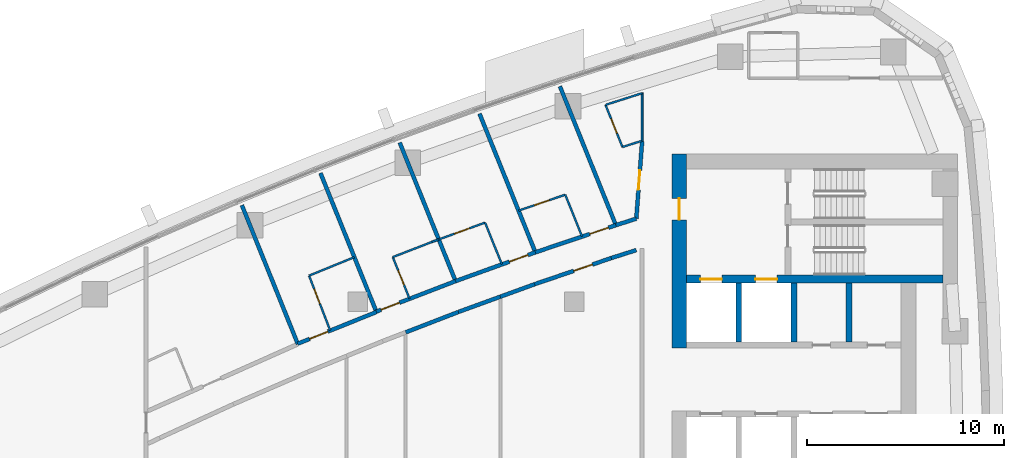
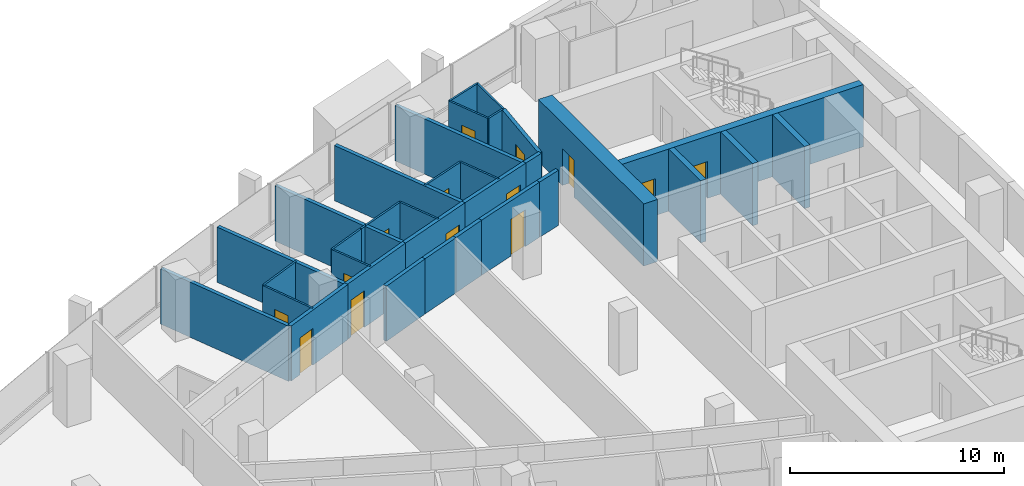
# One storey, part 12 of 17: 34 walls, 14 doors, 14 openings.
"""IFC4 building model written with IfcOpenShell, lengths in metres."""

from ifc_helpers import new_model, si_unit, direction, frame, frame_2d, origin, place, context, subcontext, project, spatial, rectangle, extrude, material, layer, layer_set, type_object, element, fill, save


model = new_model("IFC4")

# Units and contexts
model_context = context("Model", 3, precision=1e-05, world=origin(), true_north=direction((0.0, 1.0)))
body_context = subcontext(model_context, "Body", "Model", "MODEL_VIEW")
ifc_project = project(units=[si_unit("LENGTHUNIT", "METRE"), si_unit("AREAUNIT", "SQUARE_METRE"), si_unit("VOLUMEUNIT", "CUBIC_METRE"), si_unit("PLANEANGLEUNIT", "RADIAN"), si_unit("MASSUNIT", "GRAM", prefix="KILO")], contexts=[model_context])

# Site, building, storey
site_placement = place(None, origin())
site = spatial("IfcSite", under=ifc_project, at=site_placement, CompositionType="ELEMENT")
building_placement = place(site_placement, origin())
building = spatial("IfcBuilding", under=site, at=building_placement, Name="Ostrand Prow Hotel Tower", CompositionType="ELEMENT")
storey_placement = place(building_placement, frame((0.0, 0.0, 207.449951171875)))
storey = spatial("IfcBuildingStorey", under=building, at=storey_placement, Name="L52", CompositionType="ELEMENT", Elevation=207.449951171875)

# Walls
ifc_material_1 = material(Name="Concrete C60/75", Category="concrete")
ifc_layer_1 = layer(ifc_material_1, 0.300048828125)
ifc_layer_set_1 = layer_set([ifc_layer_1], Name="Concrete C60/75")
wall_type_1 = type_object("IfcWallType", Name="Core wall 300 C60/75", PredefinedType="SHEAR", material=ifc_layer_set_1)
for number, where, z_axis, x_axis, name in (
    (1, (53.35009765625, 6.949951171875, 0.0), (0.0, 0.0, 1.0), (0.0, 1.0, 0.0), "Core wall PW-R1-NA"),
    (2, (56.14990234375, 6.949951171875, 0.0), (0.0, 0.0, 1.0), (0.0, 1.0, 0.0), "Core wall PW-R2-NA"),
    (3, (58.949951171875, 6.949951171875, 0.0), (0.0, 0.0, 1.0), (0.0, 1.0, 0.0), "Core wall PW-R3-NA"),
):
    element("IfcWall", number, at=place(storey_placement, frame(where, z_axis=z_axis, x_axis=x_axis)), inside=storey, type_object=wall_type_1, Name=name, PredefinedType="SHEAR", context=body_context, shape_type="SweptSolid", body=[
        extrude(rectangle(XDim=3.0, YDim=0.300048828125, at=frame_2d((1.5, 0.0))), origin(), (0.0, 0.0, 1.0), 3.550048828125),
    ])

# Wall, openings, doors
ifc_material_2 = material(Name="Concrete C60/75", Category="concrete")
ifc_layer_2 = layer(ifc_material_2, 0.39990234375)
ifc_layer_set_2 = layer_set([ifc_layer_2], Name="Concrete C60/75")
wall_type_2 = type_object("IfcWallType", Name="Core wall 400 C60/75", PredefinedType="SHEAR", material=ifc_layer_set_2)
wall_1_placement = place(storey_placement, frame((50.699951171875, 10.14990234375, 0.0), z_axis=(0.0, 0.0, 1.0), x_axis=(1.0, 0.0, 0.0)))
wall_1 = element("IfcWall", 4, at=wall_1_placement, inside=storey, type_object=wall_type_2, Name="Core wall PW-BN", PredefinedType="SHEAR", context=body_context, shape_type="SweptSolid", body=[
    extrude(rectangle(XDim=13.02001953125, YDim=0.39990234375, at=frame_2d((6.510009765625, 0.0))), origin(), (0.0, 0.0, 1.0), 3.550048828125),
])
opening_1_placement = place(wall_1_placement, frame((0.699951171875, 0.0, 0.0)))
opening_1 = element("IfcOpeningElement", 5, at=opening_1_placement, cuts=wall_1, Name="Opening LD", PredefinedType="OPENING", context=body_context, shape_type="SweptSolid", body=[
    extrude(rectangle(XDim=1.10009765625, YDim=2.10009765625, at=frame_2d((0.550048828125, 1.050048828125))), frame((0.0, 0.2099609375, 0.0), z_axis=(0.0, -1.0, 0.0), x_axis=(1.0, 0.0, 0.0)), (0.0, 0.0, 1.0), 0.419921875),
])
opening_2_placement = place(wall_1_placement, frame((3.5, 0.0, 0.0)))
opening_2 = element("IfcOpeningElement", 6, at=opening_2_placement, cuts=wall_1, Name="Opening LD", PredefinedType="OPENING", context=body_context, shape_type="SweptSolid", body=[
    extrude(rectangle(XDim=1.10009765625, YDim=2.10009765625, at=frame_2d((0.550048828125, 1.050048828125))), frame((0.0, 0.2099609375, 0.0), z_axis=(0.0, -1.0, 0.0), x_axis=(1.0, 0.0, 0.0)), (0.0, 0.0, 1.0), 0.419921875),
])
ifc_material_3 = material(Name="Stainless steel door", Category="steel")
door_type_1 = type_object("IfcDoorType", Name="Lift landing door 1100", OperationType="DOUBLE_DOOR_SLIDING", PredefinedType="DOOR", material=ifc_material_3)
door_1_placement = place(opening_1_placement, origin())
door_1 = element("IfcDoor", 7, at=door_1_placement, inside=storey, type_object=door_type_1, Name="LIFT LANDING DOOR", OperationType="DOUBLE_DOOR_SLIDING", OverallHeight=2.10009765625, OverallWidth=1.10009765625, PredefinedType="DOOR", context=body_context, shape_type="SweptSolid", body=[
    extrude(rectangle(XDim=1.10009765625, YDim=2.10009765625, at=frame_2d((0.550048828125, 1.050048828125))), frame((0.0, 0.02490234375, 0.0), z_axis=(0.0, -1.0, 0.0), x_axis=(1.0, 0.0, 0.0)), (0.0, 0.0, 1.0), 0.050048828125),
])
fill(opening_1, door_1)
door_2_placement = place(opening_2_placement, origin())
door_2 = element("IfcDoor", 8, at=door_2_placement, inside=storey, type_object=door_type_1, Name="LIFT LANDING DOOR", OperationType="DOUBLE_DOOR_SLIDING", OverallHeight=2.10009765625, OverallWidth=1.10009765625, PredefinedType="DOOR", context=body_context, shape_type="SweptSolid", body=[
    extrude(rectangle(XDim=1.10009765625, YDim=2.10009765625, at=frame_2d((0.550048828125, 1.050048828125))), frame((0.0, 0.02490234375, 0.0), z_axis=(0.0, -1.0, 0.0), x_axis=(1.0, 0.0, 0.0)), (0.0, 0.0, 1.0), 0.050048828125),
])
fill(opening_2, door_2)

# Wall, opening, door
ifc_material_4 = material(Name="Concrete C60/75", Category="concrete")
ifc_layer_3 = layer(ifc_material_4, 0.75)
ifc_layer_set_3 = layer_set([ifc_layer_3], Name="Concrete C60/75")
wall_type_3 = type_object("IfcWallType", Name="Core wall 750 C60/75", PredefinedType="SHEAR", material=ifc_layer_set_3)
wall_2_placement = place(storey_placement, frame((50.324951171875, 6.64990234375, 0.0), z_axis=(0.0, 0.0, 1.0), x_axis=(0.0, 1.0, 0.0)))
wall_2 = element("IfcWall", 9, at=wall_2_placement, inside=storey, type_object=wall_type_3, Name="Core wall CW-W-N", PredefinedType="SHEAR", context=body_context, shape_type="SweptSolid", body=[
    extrude(rectangle(XDim=9.85009765625, YDim=0.75, at=frame_2d((4.925048828125, 0.0))), origin(), (0.0, 0.0, 1.0), 3.550048828125),
])
opening_3_placement = place(wall_2_placement, frame((6.5, 0.0, 0.0)))
opening_3 = element("IfcOpeningElement", 10, at=opening_3_placement, cuts=wall_2, Name="Opening FD1", PredefinedType="OPENING", context=body_context, shape_type="SweptSolid", body=[
    extrude(rectangle(XDim=1.10009765625, YDim=2.10009765625, at=frame_2d((0.550048828125, 1.050048828125))), frame((0.0, 0.385009765625, 0.0), z_axis=(0.0, -1.0, 0.0), x_axis=(1.0, 0.0, 0.0)), (0.0, 0.0, 1.0), 0.77001953125),
])
ifc_material_5 = material(Name="Steel fire door", Category="steel")
door_type_2 = type_object("IfcDoorType", Name="Fire door 1100 EI120", OperationType="SINGLE_SWING_RIGHT", PredefinedType="DOOR", material=ifc_material_5)
door_3_placement = place(opening_3_placement, origin())
door_3 = element("IfcDoor", 11, at=door_3_placement, inside=storey, type_object=door_type_2, Name="FIRE DOOR", OperationType="SINGLE_SWING_RIGHT", OverallHeight=2.10009765625, OverallWidth=1.10009765625, PredefinedType="DOOR", context=body_context, shape_type="SweptSolid", body=[
    extrude(rectangle(XDim=1.10009765625, YDim=2.10009765625, at=frame_2d((0.550048828125, 1.050048828125))), frame((0.0, 0.02490234375, 0.0), z_axis=(0.0, -1.0, 0.0), x_axis=(1.0, 0.0, 0.0)), (0.0, 0.0, 1.0), 0.050048828125),
])
fill(opening_3, door_3)

ifc_material_6 = material(Name="Plasterboard partition")
ifc_layer_4 = layer(ifc_material_6, 0.10009765625)
ifc_layer_set_4 = layer_set([ifc_layer_4], Name="Plasterboard partition")
wall_type_4 = type_object("IfcWallType", Name="Partition 100 bathroom wall", PredefinedType="PARTITIONING", material=ifc_layer_set_4)
wall_3_placement = place(storey_placement, frame((32.60546875, 7.542236328125, 0.0), z_axis=(0.0, 0.0, 1.0), x_axis=(-0.359637744424, 0.933092006603, 0.0)))
wall_3 = element("IfcWall", 12, at=wall_3_placement, inside=storey, type_object=wall_type_4, Name="BATHROOM WALL", PredefinedType="PARTITIONING", context=body_context, shape_type="SweptSolid", body=[
    extrude(rectangle(XDim=2.980224609375, YDim=0.10009765625, at=frame_2d((1.490234375, 0.0))), origin(), (0.0, 0.0, 1.0), 3.150146484375),
])
opening_4_placement = place(wall_3_placement, frame((1.449951171875, 0.0, 0.0)))
opening_4 = element("IfcOpeningElement", 13, at=opening_4_placement, cuts=wall_3, Name="Opening D2", PredefinedType="OPENING", context=body_context, shape_type="SweptSolid", body=[
    extrude(rectangle(XDim=0.800048828125, YDim=2.10009765625, at=frame_2d((0.39990234375, 1.050048828125))), frame((0.0, 0.06005859375, 0.0), z_axis=(0.0, -1.0, 0.0), x_axis=(1.0, 0.0, 0.0)), (0.0, 0.0, 1.0), 0.1201171875),
])
ifc_material_7 = material(Name="Timber door leaf", Category="wood")
door_type_3 = type_object("IfcDoorType", Name="Bathroom door 800", OperationType="SINGLE_SWING_LEFT", PredefinedType="DOOR", material=ifc_material_7)
door_4_placement = place(opening_4_placement, origin())
door_4 = element("IfcDoor", 14, at=door_4_placement, inside=storey, type_object=door_type_3, Name="DOOR", OperationType="SINGLE_SWING_LEFT", OverallHeight=2.10009765625, OverallWidth=0.800048828125, PredefinedType="DOOR", context=body_context, shape_type="SweptSolid", body=[
    extrude(rectangle(XDim=0.800048828125, YDim=2.10009765625, at=frame_2d((0.39990234375, 1.050048828125))), frame((0.0, 0.02490234375, 0.0), z_axis=(0.0, -1.0, 0.0), x_axis=(1.0, 0.0, 0.0)), (0.0, 0.0, 1.0), 0.050048828125),
])
fill(opening_4, door_4)

# Walls
wall_4_placement = place(storey_placement, frame((31.53369140625, 10.322998046875, 0.0), z_axis=(0.0, 0.0, 1.0), x_axis=(0.925906573805, 0.377752586469, 0.0)))
element("IfcWall", 15, at=wall_4_placement, inside=storey, type_object=wall_type_4, Name="BATHROOM WALL", PredefinedType="PARTITIONING", context=body_context, shape_type="SweptSolid", body=[
    extrude(rectangle(XDim=2.484375, YDim=0.10009765625, at=frame_2d((1.2421875, 0.0))), origin(), (0.0, 0.0, 1.0), 3.150146484375),
])
wall_5_placement = place(storey_placement, frame((35.784912109375, 11.265625, 0.0), z_axis=(0.0, 0.0, 1.0), x_axis=(0.932673396793, 0.360721963448, 0.0)))
element("IfcWall", 16, at=wall_5_placement, inside=storey, type_object=wall_type_4, Name="BATHROOM WALL", PredefinedType="PARTITIONING", context=body_context, shape_type="SweptSolid", body=[
    extrude(rectangle(XDim=2.139404296875, YDim=0.10009765625, at=frame_2d((1.06982421875, 0.0))), origin(), (0.0, 0.0, 1.0), 3.150146484375),
])
wall_6_placement = place(storey_placement, frame((37.7802734375, 12.037353515625, 0.0), z_axis=(0.0, 0.0, 1.0), x_axis=(0.939595761479, 0.34228614493, 0.0)))
element("IfcWall", 17, at=wall_6_placement, inside=storey, type_object=wall_type_4, Name="BATHROOM WALL", PredefinedType="PARTITIONING", context=body_context, shape_type="SweptSolid", body=[
    extrude(rectangle(XDim=0.36083984375, YDim=0.10009765625, at=frame_2d((0.180419921875, 0.0))), origin(), (0.0, 0.0, 1.0), 3.150146484375),
])

# Wall, opening, door
wall_7_placement = place(storey_placement, frame((36.63623046875, 9.153564453125, 0.0), z_axis=(0.0, 0.0, 1.0), x_axis=(-0.373885031976, 0.927475057813, 0.0)))
wall_7 = element("IfcWall", 18, at=wall_7_placement, inside=storey, type_object=wall_type_4, Name="BATHROOM WALL", PredefinedType="PARTITIONING", context=body_context, shape_type="SweptSolid", body=[
    extrude(rectangle(XDim=2.27685546875, YDim=0.10009765625, at=frame_2d((1.138427734375, 0.0))), origin(), (0.0, 0.0, 1.0), 3.150146484375),
])
opening_5_placement = place(wall_7_placement, frame((0.75, 0.0, 0.0)))
opening_5 = element("IfcOpeningElement", 19, at=opening_5_placement, cuts=wall_7, Name="Opening D2", PredefinedType="OPENING", context=body_context, shape_type="SweptSolid", body=[
    extrude(rectangle(XDim=0.800048828125, YDim=2.10009765625, at=frame_2d((0.39990234375, 1.050048828125))), frame((0.0, 0.06005859375, 0.0), z_axis=(0.0, -1.0, 0.0), x_axis=(1.0, 0.0, 0.0)), (0.0, 0.0, 1.0), 0.1201171875),
])
door_5_placement = place(opening_5_placement, origin())
door_5 = element("IfcDoor", 20, at=door_5_placement, inside=storey, type_object=door_type_3, Name="DOOR", OperationType="SINGLE_SWING_LEFT", OverallHeight=2.10009765625, OverallWidth=0.800048828125, PredefinedType="DOOR", context=body_context, shape_type="SweptSolid", body=[
    extrude(rectangle(XDim=0.800048828125, YDim=2.10009765625, at=frame_2d((0.39990234375, 1.050048828125))), frame((0.0, 0.02490234375, 0.0), z_axis=(0.0, -1.0, 0.0), x_axis=(1.0, 0.0, 0.0)), (0.0, 0.0, 1.0), 0.050048828125),
])
fill(opening_5, door_5)

wall_8_placement = place(storey_placement, frame((38.119384765625, 12.160888671875, 0.0), z_axis=(0.0, 0.0, 1.0), x_axis=(0.939744972593, 0.341876273652, 0.0)))
wall_8 = element("IfcWall", 21, at=wall_8_placement, inside=storey, type_object=wall_type_4, Name="BATHROOM WALL", PredefinedType="PARTITIONING", context=body_context, shape_type="SweptSolid", body=[
    extrude(rectangle(XDim=2.50146484375, YDim=0.10009765625, at=frame_2d((1.250732421875, 0.0))), origin(), (0.0, 0.0, 1.0), 3.150146484375),
])
opening_6_placement = place(wall_8_placement, frame((0.85009765625, 0.0, 0.0)))
opening_6 = element("IfcOpeningElement", 22, at=opening_6_placement, cuts=wall_8, Name="Opening D2", PredefinedType="OPENING", context=body_context, shape_type="SweptSolid", body=[
    extrude(rectangle(XDim=0.800048828125, YDim=2.10009765625, at=frame_2d((0.39990234375, 1.050048828125))), frame((0.0, 0.06005859375, 0.0), z_axis=(0.0, -1.0, 0.0), x_axis=(1.0, 0.0, 0.0)), (0.0, 0.0, 1.0), 0.1201171875),
])
door_6_placement = place(opening_6_placement, origin())
door_6 = element("IfcDoor", 23, at=door_6_placement, inside=storey, type_object=door_type_3, Name="DOOR", OperationType="SINGLE_SWING_LEFT", OverallHeight=2.10009765625, OverallWidth=0.800048828125, PredefinedType="DOOR", context=body_context, shape_type="SweptSolid", body=[
    extrude(rectangle(XDim=0.800048828125, YDim=2.10009765625, at=frame_2d((0.39990234375, 1.050048828125))), frame((0.0, 0.02490234375, 0.0), z_axis=(0.0, -1.0, 0.0), x_axis=(1.0, 0.0, 0.0)), (0.0, 0.0, 1.0), 0.050048828125),
])
fill(opening_6, door_6)

# Wall
wall_9_placement = place(storey_placement, frame((40.47021484375, 13.01611328125, 0.0), z_axis=(0.0, 0.0, 1.0), x_axis=(0.373846436826, -0.927490615409, 0.0)))
element("IfcWall", 24, at=wall_9_placement, inside=storey, type_object=wall_type_4, Name="BATHROOM WALL", PredefinedType="PARTITIONING", context=body_context, shape_type="SweptSolid", body=[
    extrude(rectangle(XDim=2.278564453125, YDim=0.10009765625, at=frame_2d((1.13916015625, 0.0))), origin(), (0.0, 0.0, 1.0), 3.150146484375),
])

# Wall, opening, door
wall_10_placement = place(storey_placement, frame((42.17236328125, 13.625, 0.0), z_axis=(0.0, 0.0, 1.0), x_axis=(0.946406575113, 0.322977699822, 0.0)))
wall_10 = element("IfcWall", 25, at=wall_10_placement, inside=storey, type_object=wall_type_4, Name="BATHROOM WALL", PredefinedType="PARTITIONING", context=body_context, shape_type="SweptSolid", body=[
    extrude(rectangle(XDim=2.503662109375, YDim=0.10009765625, at=frame_2d((1.251953125, 0.0))), origin(), (0.0, 0.0, 1.0), 3.150146484375),
])
opening_7_placement = place(wall_10_placement, frame((0.85009765625, 0.0, 0.0)))
opening_7 = element("IfcOpeningElement", 26, at=opening_7_placement, cuts=wall_10, Name="Opening D2", PredefinedType="OPENING", context=body_context, shape_type="SweptSolid", body=[
    extrude(rectangle(XDim=0.800048828125, YDim=2.10009765625, at=frame_2d((0.39990234375, 1.050048828125))), frame((0.0, 0.06005859375, 0.0), z_axis=(0.0, -1.0, 0.0), x_axis=(1.0, 0.0, 0.0)), (0.0, 0.0, 1.0), 0.1201171875),
])
door_7_placement = place(opening_7_placement, origin())
door_7 = element("IfcDoor", 27, at=door_7_placement, inside=storey, type_object=door_type_3, Name="DOOR", OperationType="SINGLE_SWING_LEFT", OverallHeight=2.10009765625, OverallWidth=0.800048828125, PredefinedType="DOOR", context=body_context, shape_type="SweptSolid", body=[
    extrude(rectangle(XDim=0.800048828125, YDim=2.10009765625, at=frame_2d((0.39990234375, 1.050048828125))), frame((0.0, 0.02490234375, 0.0), z_axis=(0.0, -1.0, 0.0), x_axis=(1.0, 0.0, 0.0)), (0.0, 0.0, 1.0), 0.050048828125),
])
fill(opening_7, door_7)

# Walls
wall_11_placement = place(storey_placement, frame((44.541748046875, 14.43359375, 0.0), z_axis=(0.0, 0.0, 1.0), x_axis=(0.373917841166, -0.927461831052, 0.0)))
element("IfcWall", 28, at=wall_11_placement, inside=storey, type_object=wall_type_4, Name="BATHROOM WALL", PredefinedType="PARTITIONING", context=body_context, shape_type="SweptSolid", body=[
    extrude(rectangle(XDim=2.28076171875, YDim=0.10009765625, at=frame_2d((1.140380859375, 0.0))), origin(), (0.0, 0.0, 1.0), 3.150146484375),
])
wall_12_placement = place(storey_placement, frame((46.586181640625, 18.994384765625, 0.0), z_axis=(0.0, 0.0, 1.0), x_axis=(0.952696570315, 0.303923090451, 0.0)))
element("IfcWall", 29, at=wall_12_placement, inside=storey, type_object=wall_type_4, Name="BATHROOM WALL", PredefinedType="PARTITIONING", context=body_context, shape_type="SweptSolid", body=[
    extrude(rectangle(XDim=1.9326171875, YDim=0.10009765625, at=frame_2d((0.96630859375, 0.0))), origin(), (0.0, 0.0, 1.0), 3.150146484375),
])
wall_13_placement = place(storey_placement, frame((48.426513671875, 17.167236328125, 0.0), z_axis=(0.0, 0.0, 1.0), x_axis=(-0.952763220029, -0.303714086864, 0.0)))
element("IfcWall", 30, at=wall_13_placement, inside=storey, type_object=wall_type_4, Name="BATHROOM WALL", PredefinedType="PARTITIONING", context=body_context, shape_type="SweptSolid", body=[
    extrude(rectangle(XDim=1.026611328125, YDim=0.10009765625, at=frame_2d((0.51318359375, 0.0))), origin(), (0.0, 0.0, 1.0), 3.150146484375),
])

# Wall, opening, door
wall_14_placement = place(storey_placement, frame((47.4482421875, 16.85546875, 0.0), z_axis=(0.0, 0.0, 1.0), x_axis=(-0.373817051068, 0.927502459474, 0.0)))
wall_14 = element("IfcWall", 31, at=wall_14_placement, inside=storey, type_object=wall_type_4, Name="BATHROOM WALL", PredefinedType="PARTITIONING", context=body_context, shape_type="SweptSolid", body=[
    extrude(rectangle(XDim=2.30615234375, YDim=0.10009765625, at=frame_2d((1.153076171875, 0.0))), origin(), (0.0, 0.0, 1.0), 3.150146484375),
])
opening_8_placement = place(wall_14_placement, frame((0.75, 0.0, 0.0)))
opening_8 = element("IfcOpeningElement", 32, at=opening_8_placement, cuts=wall_14, Name="Opening D2", PredefinedType="OPENING", context=body_context, shape_type="SweptSolid", body=[
    extrude(rectangle(XDim=0.800048828125, YDim=2.10009765625, at=frame_2d((0.39990234375, 1.050048828125))), frame((0.0, 0.06005859375, 0.0), z_axis=(0.0, -1.0, 0.0), x_axis=(1.0, 0.0, 0.0)), (0.0, 0.0, 1.0), 0.1201171875),
])
door_8_placement = place(opening_8_placement, origin())
door_8 = element("IfcDoor", 33, at=door_8_placement, inside=storey, type_object=door_type_3, Name="DOOR", OperationType="SINGLE_SWING_LEFT", OverallHeight=2.10009765625, OverallWidth=0.800048828125, PredefinedType="DOOR", context=body_context, shape_type="SweptSolid", body=[
    extrude(rectangle(XDim=0.800048828125, YDim=2.10009765625, at=frame_2d((0.39990234375, 1.050048828125))), frame((0.0, 0.02490234375, 0.0), z_axis=(0.0, -1.0, 0.0), x_axis=(1.0, 0.0, 0.0)), (0.0, 0.0, 1.0), 0.050048828125),
])
fill(opening_8, door_8)

# Wall
wall_15_placement = place(storey_placement, frame((48.445068359375, 19.603271484375, 0.0), z_axis=(0.0, 0.0, 1.0), x_axis=(0.0, -1.0, 0.0)))
element("IfcWall", 34, at=wall_15_placement, inside=storey, type_object=wall_type_4, Name="BATHROOM WALL", PredefinedType="PARTITIONING", context=body_context, shape_type="SweptSolid", body=[
    extrude(rectangle(XDim=2.458740234375, YDim=0.10009765625, at=frame_2d((1.2294921875, 0.0))), origin(), (0.0, 0.0, 1.0), 3.150146484375),
])

# Wall, opening, door
ifc_material_8 = material(Name="Plasterboard partition")
ifc_layer_5 = layer(ifc_material_8, 0.199951171875)
ifc_layer_set_5 = layer_set([ifc_layer_5], Name="Plasterboard partition")
wall_type_5 = type_object("IfcWallType", Name="Partition 200 corridor wall", PredefinedType="PARTITIONING", material=ifc_layer_set_5)
wall_16_placement = place(storey_placement, frame((30.9580078125, 6.8662109375, 0.0), z_axis=(0.0, 0.0, 1.0), x_axis=(0.927398695046, 0.374074404933, 0.0)))
wall_16 = element("IfcWall", 35, at=wall_16_placement, inside=storey, type_object=wall_type_5, Name="CORRIDOR WALL", PredefinedType="PARTITIONING", context=body_context, shape_type="SweptSolid", body=[
    extrude(rectangle(XDim=4.310791015625, YDim=0.199951171875, at=frame_2d((2.1552734375, 0.0))), origin(), (0.0, 0.0, 1.0), 3.150146484375),
])
opening_9_placement = place(wall_16_placement, frame((0.64990234375, 0.0, 0.0)))
opening_9 = element("IfcOpeningElement", 36, at=opening_9_placement, cuts=wall_16, Name="Opening D1R", PredefinedType="OPENING", context=body_context, shape_type="SweptSolid", body=[
    extrude(rectangle(XDim=1.0, YDim=2.10009765625, at=frame_2d((0.5, 1.050048828125))), frame((0.0, 0.10986328125, 0.0), z_axis=(0.0, -1.0, 0.0), x_axis=(1.0, 0.0, 0.0)), (0.0, 0.0, 1.0), 0.219970703125),
])
ifc_material_9 = material(Name="Timber door leaf", Category="wood")
door_type_4 = type_object("IfcDoorType", Name="Guest room door 1000 right", OperationType="SINGLE_SWING_RIGHT", PredefinedType="DOOR", material=ifc_material_9)
door_9_placement = place(opening_9_placement, origin())
door_9 = element("IfcDoor", 37, at=door_9_placement, inside=storey, type_object=door_type_4, Name="DOOR", OperationType="SINGLE_SWING_RIGHT", OverallHeight=2.10009765625, OverallWidth=1.0, PredefinedType="DOOR", context=body_context, shape_type="SweptSolid", body=[
    extrude(rectangle(XDim=1.0, YDim=2.10009765625, at=frame_2d((0.5, 1.050048828125))), frame((0.0, 0.02490234375, 0.0), z_axis=(0.0, -1.0, 0.0), x_axis=(1.0, 0.0, 0.0)), (0.0, 0.0, 1.0), 0.050048828125),
])
fill(opening_9, door_9)

wall_17_placement = place(storey_placement, frame((38.972412109375, 10.044921875, 0.0), z_axis=(0.0, 0.0, 1.0), x_axis=(-0.93335728106, -0.358948723208, 0.0)))
wall_17 = element("IfcWall", 38, at=wall_17_placement, inside=storey, type_object=wall_type_5, Name="CORRIDOR WALL", PredefinedType="PARTITIONING", context=body_context, shape_type="SweptSolid", body=[
    extrude(rectangle(XDim=4.3115234375, YDim=0.199951171875, at=frame_2d((2.15576171875, 0.0))), origin(), (0.0, 0.0, 1.0), 3.150146484375),
])
opening_10_placement = place(wall_17_placement, frame((3.050048828125, 0.0, 0.0)))
opening_10 = element("IfcOpeningElement", 39, at=opening_10_placement, cuts=wall_17, Name="Opening D1R", PredefinedType="OPENING", context=body_context, shape_type="SweptSolid", body=[
    extrude(rectangle(XDim=1.0, YDim=2.10009765625, at=frame_2d((0.5, 1.050048828125))), frame((0.0, 0.10986328125, 0.0), z_axis=(0.0, -1.0, 0.0), x_axis=(1.0, 0.0, 0.0)), (0.0, 0.0, 1.0), 0.219970703125),
])
door_10_placement = place(opening_10_placement, origin())
door_10 = element("IfcDoor", 40, at=door_10_placement, inside=storey, type_object=door_type_4, Name="DOOR", OperationType="SINGLE_SWING_RIGHT", OverallHeight=2.10009765625, OverallWidth=1.0, PredefinedType="DOOR", context=body_context, shape_type="SweptSolid", body=[
    extrude(rectangle(XDim=1.0, YDim=2.10009765625, at=frame_2d((0.5, 1.050048828125))), frame((0.0, 0.02490234375, 0.0), z_axis=(0.0, -1.0, 0.0), x_axis=(1.0, 0.0, 0.0)), (0.0, 0.0, 1.0), 0.050048828125),
])
fill(opening_10, door_10)

wall_18_placement = place(storey_placement, frame((43.02587890625, 11.50732421875, 0.0), z_axis=(0.0, 0.0, 1.0), x_axis=(-0.940653905433, -0.339367397069, 0.0)))
wall_18 = element("IfcWall", 41, at=wall_18_placement, inside=storey, type_object=wall_type_5, Name="CORRIDOR WALL", PredefinedType="PARTITIONING", context=body_context, shape_type="SweptSolid", body=[
    extrude(rectangle(XDim=4.30908203125, YDim=0.199951171875, at=frame_2d((2.154541015625, 0.0))), origin(), (0.0, 0.0, 1.0), 3.150146484375),
])
opening_11_placement = place(wall_18_placement, frame((0.39990234375, 0.0, 0.0)))
opening_11 = element("IfcOpeningElement", 42, at=opening_11_placement, cuts=wall_18, Name="Opening D1R", PredefinedType="OPENING", context=body_context, shape_type="SweptSolid", body=[
    extrude(rectangle(XDim=1.0, YDim=2.10009765625, at=frame_2d((0.5, 1.050048828125))), frame((0.0, 0.10986328125, 0.0), z_axis=(0.0, -1.0, 0.0), x_axis=(1.0, 0.0, 0.0)), (0.0, 0.0, 1.0), 0.219970703125),
])
door_11_placement = place(opening_11_placement, origin())
door_11 = element("IfcDoor", 43, at=door_11_placement, inside=storey, type_object=door_type_4, Name="DOOR", OperationType="SINGLE_SWING_RIGHT", OverallHeight=2.10009765625, OverallWidth=1.0, PredefinedType="DOOR", context=body_context, shape_type="SweptSolid", body=[
    extrude(rectangle(XDim=1.0, YDim=2.10009765625, at=frame_2d((0.5, 1.050048828125))), frame((0.0, 0.02490234375, 0.0), z_axis=(0.0, -1.0, 0.0), x_axis=(1.0, 0.0, 0.0)), (0.0, 0.0, 1.0), 0.050048828125),
])
fill(opening_11, door_11)

wall_19_placement = place(storey_placement, frame((47.11328125, 12.885986328125, 0.0), z_axis=(0.0, 0.0, 1.0), x_axis=(-0.947550995841, -0.319604615549, 0.0)))
wall_19 = element("IfcWall", 44, at=wall_19_placement, inside=storey, type_object=wall_type_5, Name="CORRIDOR WALL", PredefinedType="PARTITIONING", context=body_context, shape_type="SweptSolid", body=[
    extrude(rectangle(XDim=4.313720703125, YDim=0.199951171875, at=frame_2d((2.15673828125, 0.0))), origin(), (0.0, 0.0, 1.0), 3.150146484375),
])
opening_12_placement = place(wall_19_placement, frame((0.39990234375, 0.0, 0.0)))
opening_12 = element("IfcOpeningElement", 45, at=opening_12_placement, cuts=wall_19, Name="Opening D1R", PredefinedType="OPENING", context=body_context, shape_type="SweptSolid", body=[
    extrude(rectangle(XDim=1.0, YDim=2.10009765625, at=frame_2d((0.5, 1.050048828125))), frame((0.0, 0.10986328125, 0.0), z_axis=(0.0, -1.0, 0.0), x_axis=(1.0, 0.0, 0.0)), (0.0, 0.0, 1.0), 0.219970703125),
])
door_12_placement = place(opening_12_placement, origin())
door_12 = element("IfcDoor", 46, at=door_12_placement, inside=storey, type_object=door_type_4, Name="DOOR", OperationType="SINGLE_SWING_RIGHT", OverallHeight=2.10009765625, OverallWidth=1.0, PredefinedType="DOOR", context=body_context, shape_type="SweptSolid", body=[
    extrude(rectangle(XDim=1.0, YDim=2.10009765625, at=frame_2d((0.5, 1.050048828125))), frame((0.0, 0.02490234375, 0.0), z_axis=(0.0, -1.0, 0.0), x_axis=(1.0, 0.0, 0.0)), (0.0, 0.0, 1.0), 0.050048828125),
])
fill(opening_12, door_12)

# Walls
wall_20_placement = place(storey_placement, frame((39.115478515625, 8.4794921875, 0.0), z_axis=(0.0, 0.0, 1.0), x_axis=(0.939746227223, 0.341872824923, 0.0)))
element("IfcWall", 47, at=wall_20_placement, inside=storey, type_object=wall_type_5, Name="CORRIDOR WALL", PredefinedType="PARTITIONING", context=body_context, shape_type="SweptSolid", body=[
    extrude(rectangle(XDim=2.265869140625, YDim=0.199951171875, at=frame_2d((1.1328125, 0.0))), origin(), (0.0, 0.0, 1.0), 3.150146484375),
])
wall_21_placement = place(storey_placement, frame((36.44140625, 7.445068359375, 0.0), z_axis=(0.0, 0.0, 1.0), x_axis=(0.932650373077, 0.36078148733, 0.0)))
element("IfcWall", 48, at=wall_21_placement, inside=storey, type_object=wall_type_5, Name="CORRIDOR WALL", PredefinedType="PARTITIONING", context=body_context, shape_type="SweptSolid", body=[
    extrude(rectangle(XDim=2.8671875, YDim=0.199951171875, at=frame_2d((1.43359375, 0.0))), origin(), (0.0, 0.0, 1.0), 3.150146484375),
])

# Wall, opening, door
wall_22_placement = place(storey_placement, frame((42.984375, 9.88720703125, 0.0), z_axis=(0.0, 0.0, 1.0), x_axis=(0.946436071896, 0.322891253852, 0.0)))
wall_22 = element("IfcWall", 49, at=wall_22_placement, inside=storey, type_object=wall_type_5, Name="CORRIDOR WALL", PredefinedType="PARTITIONING", context=body_context, shape_type="SweptSolid", body=[
    extrude(rectangle(XDim=4.116943359375, YDim=0.199951171875, at=frame_2d((2.05859375, 0.0))), origin(), (0.0, 0.0, 1.0), 3.150146484375),
])
opening_13_placement = place(wall_22_placement, frame((2.10009765625, 0.0, 0.0)))
opening_13 = element("IfcOpeningElement", 50, at=opening_13_placement, cuts=wall_22, Name="Opening D1", PredefinedType="OPENING", context=body_context, shape_type="SweptSolid", body=[
    extrude(rectangle(XDim=1.0, YDim=2.10009765625, at=frame_2d((0.5, 1.050048828125))), frame((0.0, 0.10986328125, 0.0), z_axis=(0.0, -1.0, 0.0), x_axis=(1.0, 0.0, 0.0)), (0.0, 0.0, 1.0), 0.219970703125),
])
ifc_material_10 = material(Name="Timber door leaf", Category="wood")
door_type_5 = type_object("IfcDoorType", Name="Guest room door 1000", OperationType="SINGLE_SWING_LEFT", PredefinedType="DOOR", material=ifc_material_10)
door_13_placement = place(opening_13_placement, origin())
door_13 = element("IfcDoor", 51, at=door_13_placement, inside=storey, type_object=door_type_5, Name="DOOR", OperationType="SINGLE_SWING_LEFT", OverallHeight=2.10009765625, OverallWidth=1.0, PredefinedType="DOOR", context=body_context, shape_type="SweptSolid", body=[
    extrude(rectangle(XDim=1.0, YDim=2.10009765625, at=frame_2d((0.5, 1.050048828125))), frame((0.0, 0.02490234375, 0.0), z_axis=(0.0, -1.0, 0.0), x_axis=(1.0, 0.0, 0.0)), (0.0, 0.0, 1.0), 0.050048828125),
])
fill(opening_13, door_13)

# Walls
wall_23_placement = place(storey_placement, frame((41.244873046875, 9.254150390625, 0.0), z_axis=(0.0, 0.0, 1.0), x_axis=(0.939704824537, 0.341986611933, 0.0)))
element("IfcWall", 52, at=wall_23_placement, inside=storey, type_object=wall_type_5, Name="CORRIDOR WALL", PredefinedType="PARTITIONING", context=body_context, shape_type="SweptSolid", body=[
    extrude(rectangle(XDim=1.85107421875, YDim=0.199951171875, at=frame_2d((0.925537109375, 0.0))), origin(), (0.0, 0.0, 1.0), 3.150146484375),
])
wall_24_placement = place(storey_placement, frame((48.14990234375, 13.216552734375, 0.0), z_axis=(0.0, 0.0, 1.0), x_axis=(-0.952731090451, -0.303814860215, 0.0)))
element("IfcWall", 53, at=wall_24_placement, inside=storey, type_object=wall_type_5, Name="CORRIDOR WALL", PredefinedType="PARTITIONING", context=body_context, shape_type="SweptSolid", body=[
    extrude(rectangle(XDim=1.088134765625, YDim=0.199951171875, at=frame_2d((0.5439453125, 0.0))), origin(), (0.0, 0.0, 1.0), 3.150146484375),
])
wall_25_placement = place(storey_placement, frame((46.880859375, 11.216552734375, 0.0), z_axis=(0.0, 0.0, 1.0), x_axis=(0.952761948983, 0.303718074157, 0.0)))
element("IfcWall", 54, at=wall_25_placement, inside=storey, type_object=wall_type_5, Name="CORRIDOR WALL", PredefinedType="PARTITIONING", context=body_context, shape_type="SweptSolid", body=[
    extrude(rectangle(XDim=1.33203125, YDim=0.199951171875, at=frame_2d((0.666015625, 0.0))), origin(), (0.0, 0.0, 1.0), 3.150146484375),
])

# Wall, opening, door
wall_26_placement = place(storey_placement, frame((48.445068359375, 17.14453125, 0.0), z_axis=(0.0, 0.0, 1.0), x_axis=(-0.074933243819, -0.997188552366, 0.0)))
wall_26 = element("IfcWall", 55, at=wall_26_placement, inside=storey, type_object=wall_type_5, Name="CORRIDOR WALL", PredefinedType="PARTITIONING", context=body_context, shape_type="SweptSolid", body=[
    extrude(rectangle(XDim=3.93896484375, YDim=0.199951171875, at=frame_2d((1.969482421875, 0.0))), origin(), (0.0, 0.0, 1.0), 3.150146484375),
])
opening_14_placement = place(wall_26_placement, frame((1.469970703125, 0.0, 0.0)))
opening_14 = element("IfcOpeningElement", 56, at=opening_14_placement, cuts=wall_26, Name="Opening D1R", PredefinedType="OPENING", context=body_context, shape_type="SweptSolid", body=[
    extrude(rectangle(XDim=1.0, YDim=2.10009765625, at=frame_2d((0.5, 1.050048828125))), frame((0.0, 0.10986328125, 0.0), z_axis=(0.0, -1.0, 0.0), x_axis=(1.0, 0.0, 0.0)), (0.0, 0.0, 1.0), 0.219970703125),
])
door_14_placement = place(opening_14_placement, origin())
door_14 = element("IfcDoor", 57, at=door_14_placement, inside=storey, type_object=door_type_4, Name="DOOR", OperationType="SINGLE_SWING_RIGHT", OverallHeight=2.10009765625, OverallWidth=1.0, PredefinedType="DOOR", context=body_context, shape_type="SweptSolid", body=[
    extrude(rectangle(XDim=1.0, YDim=2.10009765625, at=frame_2d((0.5, 1.050048828125))), frame((0.0, 0.02490234375, 0.0), z_axis=(0.0, -1.0, 0.0), x_axis=(1.0, 0.0, 0.0)), (0.0, 0.0, 1.0), 0.050048828125),
])
fill(opening_14, door_14)

# Walls
ifc_material_11 = material(Name="Plasterboard partition")
ifc_layer_6 = layer(ifc_material_11, 0.199951171875)
ifc_layer_set_6 = layer_set([ifc_layer_6], Name="Plasterboard partition")
wall_type_6 = type_object("IfcWallType", Name="Partition 200 key partition", PredefinedType="PARTITIONING", material=ifc_layer_set_6)
wall_27_placement = place(storey_placement, frame((30.96533203125, 6.84765625, 0.0), z_axis=(0.0, 0.0, 1.0), x_axis=(-0.373876084216, 0.927478664796, 0.0)))
element("IfcWall", 58, at=wall_27_placement, inside=storey, type_object=wall_type_6, Name="KEY PARTITION", PredefinedType="PARTITIONING", context=body_context, shape_type="SweptSolid", body=[
    extrude(rectangle(XDim=7.600341796875, YDim=0.199951171875, at=frame_2d((3.80029296875, 0.0))), origin(), (0.0, 0.0, 1.0), 3.150146484375),
])
wall_28_placement = place(storey_placement, frame((34.955810546875, 8.478759765625, 0.0), z_axis=(0.0, 0.0, 1.0), x_axis=(-0.373881438439, 0.927476506436, 0.0)))
element("IfcWall", 59, at=wall_28_placement, inside=storey, type_object=wall_type_6, Name="KEY PARTITION", PredefinedType="PARTITIONING", context=body_context, shape_type="SweptSolid", body=[
    extrude(rectangle(XDim=7.600830078125, YDim=0.199951171875, at=frame_2d((3.80029296875, 0.0))), origin(), (0.0, 0.0, 1.0), 3.150146484375),
])
wall_29_placement = place(storey_placement, frame((38.979736328125, 10.0263671875, 0.0), z_axis=(0.0, 0.0, 1.0), x_axis=(-0.373863662938, 0.927483671843, 0.0)))
element("IfcWall", 60, at=wall_29_placement, inside=storey, type_object=wall_type_6, Name="KEY PARTITION", PredefinedType="PARTITIONING", context=body_context, shape_type="SweptSolid", body=[
    extrude(rectangle(XDim=7.6044921875, YDim=0.199951171875, at=frame_2d((3.80224609375, 0.0))), origin(), (0.0, 0.0, 1.0), 3.150146484375),
])
wall_30_placement = place(storey_placement, frame((43.033447265625, 11.48876953125, 0.0), z_axis=(0.0, 0.0, 1.0), x_axis=(-0.373877998371, 0.927477893178, 0.0)))
element("IfcWall", 61, at=wall_30_placement, inside=storey, type_object=wall_type_6, Name="KEY PARTITION", PredefinedType="PARTITIONING", context=body_context, shape_type="SweptSolid", body=[
    extrude(rectangle(XDim=7.611328125, YDim=0.199951171875, at=frame_2d((3.8056640625, 0.0))), origin(), (0.0, 0.0, 1.0), 3.150146484375),
])
wall_31_placement = place(storey_placement, frame((47.120849609375, 12.867431640625, 0.0), z_axis=(0.0, 0.0, 1.0), x_axis=(-0.373907892596, 0.92746584188, 0.0)))
element("IfcWall", 62, at=wall_31_placement, inside=storey, type_object=wall_type_6, Name="KEY PARTITION", PredefinedType="PARTITIONING", context=body_context, shape_type="SweptSolid", body=[
    extrude(rectangle(XDim=7.62109375, YDim=0.199951171875, at=frame_2d((3.810546875, 0.0))), origin(), (0.0, 0.0, 1.0), 3.150146484375),
])

save(model, "model.ifc")
